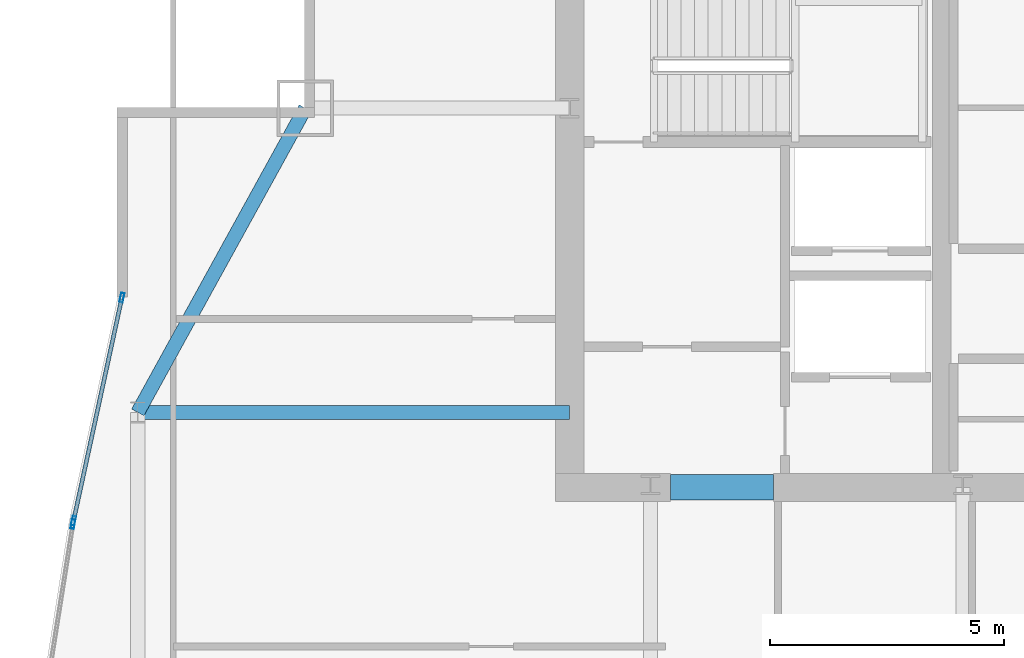
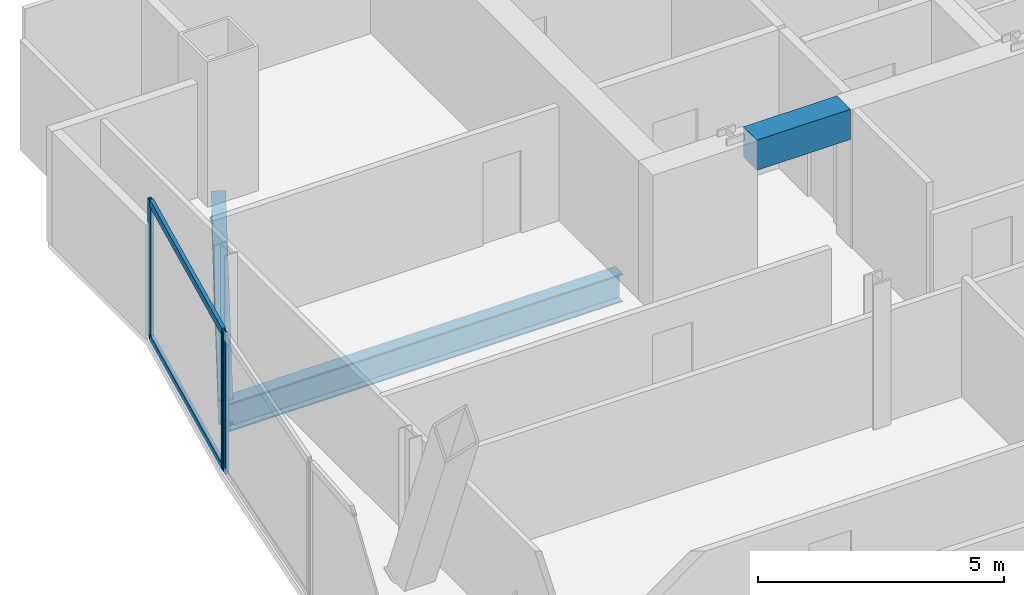
# One storey, part 22 of 33: 5 members, 3 beams, 2 elements without a shape of their own.
"""IFC4 building model written with IfcOpenShell, lengths in metres."""

from ifc_helpers import new_model, si_unit, direction, frame, origin, origin_2d, place, context, subcontext, project, spatial, rectangle, hollow_rectangle, i_section, extrude, material, material_profile, profile_set, type_object, element, aggregate, save


model = new_model("IFC4")

# Units and contexts
model_context = context("Model", 3, precision=1e-05, world=origin(), true_north=direction((0.0, 1.0)))
body_context = subcontext(model_context, "Body", "Model", "MODEL_VIEW")
ifc_project = project(units=[si_unit("LENGTHUNIT", "METRE"), si_unit("AREAUNIT", "SQUARE_METRE"), si_unit("VOLUMEUNIT", "CUBIC_METRE"), si_unit("PLANEANGLEUNIT", "RADIAN"), si_unit("MASSUNIT", "GRAM", prefix="KILO")], contexts=[model_context])

# Site, building, storey
site_placement = place(None, origin())
site = spatial("IfcSite", under=ifc_project, at=site_placement, CompositionType="ELEMENT")
building_placement = place(site_placement, origin())
building = spatial("IfcBuilding", under=site, at=building_placement, Name="Khoronbel Lancet Exchange", CompositionType="ELEMENT")
storey_placement = place(building_placement, frame((0.0, 0.0, 210.199951171875)))
storey = spatial("IfcBuildingStorey", under=building, at=storey_placement, Name="L53", CompositionType="ELEMENT", Elevation=210.199951171875)

# Beams
ifc_material_1 = material(Name="Steel S355", Category="steel")
ifc_material_profile_1 = material_profile(ifc_material_1, i_section(OverallWidth=0.300048828125, OverallDepth=0.699951171875, WebThickness=0.01708984375, FlangeThickness=0.031982421875, at=origin_2d()), Name="HEB 700")
ifc_profile_set_1 = profile_set([ifc_material_profile_1], Name="Steel S355")
beam_type_1 = type_object("IfcBeamType", Name="BM-BG3", PredefinedType="BEAM", material=ifc_profile_set_1)
beam_1_placement = place(storey_placement, frame((7.27001953125, 43.199951171875, -0.510009765625), z_axis=(1.0, 0.0, 0.0), x_axis=(0.0, 1.0, 0.0)))
element("IfcBeam", 1, at=beam_1_placement, inside=storey, type_object=beam_type_1, Name="Level L53 west lens tie girder LG3W", PredefinedType="BEAM", context=body_context, shape_type="SweptSolid", body=[
    extrude(i_section(OverallWidth=0.300048828125, OverallDepth=0.699951171875, WebThickness=0.01708984375, FlangeThickness=0.031982421875, at=origin_2d()), origin(), (0.0, 0.0, 1.0), 9.22998046875),
])
ifc_material_2 = material(Name="Concrete C60/75", Category="concrete")
ifc_material_profile_2 = material_profile(ifc_material_2, rectangle(XDim=0.550048828125, YDim=0.75, at=origin_2d()), Name="RC 550x750")
ifc_profile_set_2 = profile_set([ifc_material_profile_2], Name="Concrete C60/75")
beam_type_2 = type_object("IfcBeamType", Name="BM-BL2", PredefinedType="LINTEL", material=ifc_profile_set_2)
beam_2_placement = place(storey_placement, frame((18.64990234375, 41.60009765625, 3.06494140625), z_axis=(1.0, 0.0, 0.0), x_axis=(0.0, 1.0, 0.0)))
element("IfcBeam", 2, at=beam_2_placement, inside=storey, type_object=beam_type_2, Name="Level L53 rear core coupling lintel L1", PredefinedType="LINTEL", context=body_context, shape_type="SweptSolid", body=[
    extrude(rectangle(XDim=0.550048828125, YDim=0.75, at=origin_2d()), origin(), (0.0, 0.0, 1.0), 2.2001953125),
])
ifc_material_profile_3 = material_profile(ifc_material_1, i_section(OverallWidth=0.300048828125, OverallDepth=0.60009765625, WebThickness=0.015380859375, FlangeThickness=0.030029296875, at=origin_2d()), Name="HEB 600")
ifc_profile_set_3 = profile_set([ifc_material_profile_3], Name="Steel S355")
beam_type_3 = type_object("IfcBeamType", Name="BM-BSP2", PredefinedType="SPANDREL", material=ifc_profile_set_3)
beam_3_placement = place(storey_placement, frame((10.85009765625, 49.699951171875, -0.4599609375), z_axis=(-0.482444051088, -0.875926787791, 0.0), x_axis=(0.875926787791, -0.482444051088, 0.0)))
element("IfcBeam", 3, at=beam_3_placement, inside=storey, type_object=beam_type_3, Name="Level L53 perimeter spandrel beam SP16", PredefinedType="SPANDREL", context=body_context, shape_type="SweptSolid", body=[
    extrude(i_section(OverallWidth=0.300048828125, OverallDepth=0.60009765625, WebThickness=0.015380859375, FlangeThickness=0.030029296875, at=origin_2d()), origin(), (0.0, 0.0, 1.0), 7.420654296875),
])

# Curtain wall, member
ifc_material_3 = material(Name="Low-E Solar Control Insulating Glass", Category="glass")
curtain_wall_type = type_object("IfcCurtainWallType", Name="CW-4", PredefinedType="NOTDEFINED", material=ifc_material_3)
curtain_wall_1_placement = place(storey_placement, origin())
curtain_wall_1 = element("IfcCurtainWall", 4, at=curtain_wall_1_placement, inside=storey, type_object=curtain_wall_type, Name="Unitised curtain wall CW-L53-E08", PredefinedType="NOTDEFINED")
ifc_material_4 = material(Name="Bronze-Anodised Aluminium 6063-T6", Category="aluminium")
ifc_material_profile_4 = material_profile(ifc_material_4, hollow_rectangle(XDim=0.074951171875, YDim=0.199951171875, WallThickness=0.0048828125, at=origin_2d()), Name="ALU MULLION 75x200")
ifc_profile_set_4 = profile_set([ifc_material_profile_4], Name="Bronze-Anodised Aluminium 6063-T6")
member_type_1 = type_object("IfcMemberType", Name="MEM-CWM2", PredefinedType="MULLION", material=ifc_profile_set_4)
member_1_placement = place(storey_placement, frame((5.884521484375, 40.81298828125, 0.0), z_axis=(0.0, 0.0, 1.0), x_axis=(-0.987632712105, 0.156785286236, 0.0)))
member_1 = element("IfcMember", 5, at=member_1_placement, type_object=member_type_1, Name="CW4 mullion 2", PredefinedType="MULLION", context=body_context, shape_type="SweptSolid", body=[
    extrude(hollow_rectangle(XDim=0.074951171875, YDim=0.199951171875, WallThickness=0.0048828125, at=origin_2d()), origin(), (0.0, 0.0, 1.0), 3.43994140625),
])
aggregate(curtain_wall_1, [member_1])

# Curtain wall, members
curtain_wall_2_placement = place(storey_placement, origin())
curtain_wall_2 = element("IfcCurtainWall", 6, at=curtain_wall_2_placement, inside=storey, type_object=curtain_wall_type, Name="Unitised curtain wall CW-L53-E09", PredefinedType="NOTDEFINED")
member_2_placement = place(storey_placement, frame((5.8984375, 40.88671875, 0.0), z_axis=(0.0, 0.0, 1.0), x_axis=(-0.977286842552, 0.211920804489, 0.0)))
member_2 = element("IfcMember", 7, at=member_2_placement, type_object=member_type_1, Name="CW4 mullion 1", PredefinedType="MULLION", context=body_context, shape_type="SweptSolid", body=[
    extrude(hollow_rectangle(XDim=0.074951171875, YDim=0.199951171875, WallThickness=0.0048828125, at=origin_2d()), origin(), (0.0, 0.0, 1.0), 3.43994140625),
])
member_3_placement = place(storey_placement, frame((6.93212890625, 45.65380859375, 0.0), z_axis=(0.0, 0.0, 1.0), x_axis=(-0.977286842552, 0.211920804489, 0.0)))
member_3 = element("IfcMember", 8, at=member_3_placement, type_object=member_type_1, Name="CW4 mullion 2", PredefinedType="MULLION", context=body_context, shape_type="SweptSolid", body=[
    extrude(hollow_rectangle(XDim=0.074951171875, YDim=0.199951171875, WallThickness=0.0048828125, at=origin_2d()), origin(), (0.0, 0.0, 1.0), 3.43994140625),
])
ifc_material_profile_5 = material_profile(ifc_material_4, hollow_rectangle(XDim=0.0849609375, YDim=0.179931640625, WallThickness=0.0048828125, at=origin_2d()), Name="ALU TRANSOM 85x180")
ifc_profile_set_5 = profile_set([ifc_material_profile_5], Name="Bronze-Anodised Aluminium 6063-T6")
member_type_2 = type_object("IfcMemberType", Name="MEM-CWT1", PredefinedType="USERDEFINED", material=ifc_profile_set_5)
member_4_placement = place(storey_placement, frame((5.90625, 40.92333984375, 0.04248046875), z_axis=(0.211916803475, 0.977287710147, 0.0), x_axis=(-0.977287710147, 0.211916803475, 0.0)))
member_4 = element("IfcMember", 9, at=member_4_placement, type_object=member_type_2, Name="CW4 transom 1.1", ObjectType="TRANSOM", PredefinedType="USERDEFINED", context=body_context, shape_type="SweptSolid", body=[
    extrude(hollow_rectangle(XDim=0.0849609375, YDim=0.179931640625, WallThickness=0.0048828125, at=origin_2d()), origin(), (0.0, 0.0, 1.0), 4.802978515625),
])
member_5_placement = place(storey_placement, frame((5.90625, 40.92333984375, 3.3974609375), z_axis=(0.211916803475, 0.977287710147, 0.0), x_axis=(-0.977287710147, 0.211916803475, 0.0)))
member_5 = element("IfcMember", 10, at=member_5_placement, type_object=member_type_2, Name="CW4 transom 1.2", ObjectType="TRANSOM", PredefinedType="USERDEFINED", context=body_context, shape_type="SweptSolid", body=[
    extrude(hollow_rectangle(XDim=0.0849609375, YDim=0.179931640625, WallThickness=0.0048828125, at=origin_2d()), origin(), (0.0, 0.0, 1.0), 4.802978515625),
])
aggregate(curtain_wall_2, [member_2, member_3, member_4, member_5])

save(model, "model.ifc")
